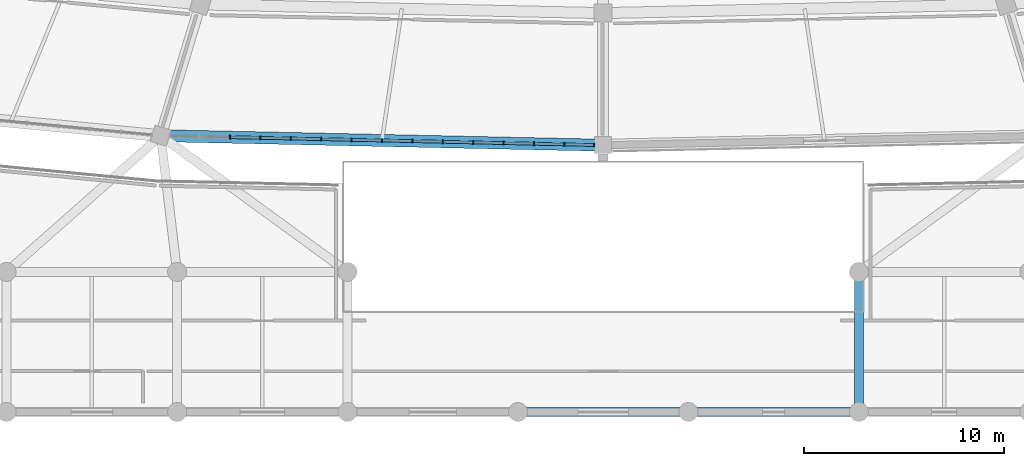
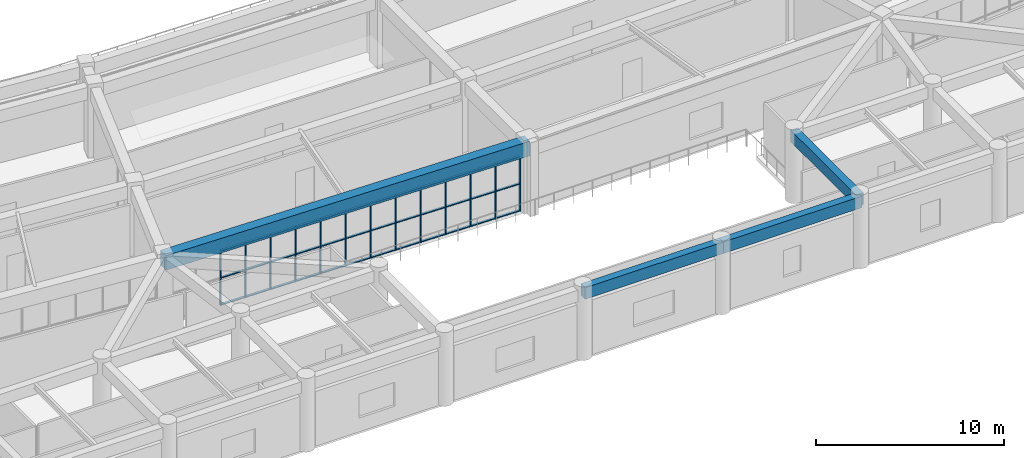
# One storey, part 24 of 152: 49 members, 4 beams, 1 element without a shape of its own.
"""IFC4 building model written with IfcOpenShell, lengths in metres."""

from ifc_helpers import new_model, si_unit, direction, frame, origin, origin_2d, place, context, subcontext, project, spatial, rectangle, extrude, material, layer, layer_set, material_profile, profile_set, type_object, element, aggregate, save


model = new_model("IFC4")

# Units and contexts
model_context = context("Model", 3, precision=1e-05, world=origin(), true_north=direction((0.0, 1.0)))
body_context = subcontext(model_context, "Body", "Model", "MODEL_VIEW")
ifc_project = project(units=[si_unit("LENGTHUNIT", "METRE"), si_unit("AREAUNIT", "SQUARE_METRE"), si_unit("VOLUMEUNIT", "CUBIC_METRE"), si_unit("PLANEANGLEUNIT", "RADIAN"), si_unit("MASSUNIT", "GRAM", prefix="KILO")], contexts=[model_context])

# Site, building, storey
site_placement = place(None, origin())
site = spatial("IfcSite", under=ifc_project, at=site_placement, CompositionType="ELEMENT")
building_placement = place(site_placement, origin())
building = spatial("IfcBuilding", under=site, at=building_placement, Name="Mphavela Belvedere Stadium", CompositionType="ELEMENT")
storey_placement = place(building_placement, frame((0.0, 0.0, 5.39990234375)))
storey = spatial("IfcBuildingStorey", under=building, at=storey_placement, Name="L01", CompositionType="ELEMENT", Elevation=5.39990234375)

# Beams
ifc_material_1 = material(Name="Concrete C40/50", Category="concrete")
ifc_material_profile_1 = material_profile(ifc_material_1, rectangle(XDim=0.60009765625, YDim=0.949951171875, at=origin_2d()), Name="RC 600x950")
ifc_profile_set_1 = profile_set([ifc_material_profile_1], Name="Concrete C40/50")
beam_type_1 = type_object("IfcBeamType", Name="BM-ENTABLATURE-950", PredefinedType="SPANDREL", material=ifc_profile_set_1)
beam_1_placement = place(storey_placement, frame((92.885498046875, 13.80615234375, 4.0751953125), z_axis=(0.999768359718, -0.021522706765, 0.0), x_axis=(0.021522706765, 0.999768359718, 0.0)))
element("IfcBeam", 1, at=beam_1_placement, inside=storey, type_object=beam_type_1, Name="Circumferential girder L01 R4-36", PredefinedType="SPANDREL", context=body_context, shape_type="SweptSolid", body=[
    extrude(rectangle(XDim=0.60009765625, YDim=0.949951171875, at=origin_2d()), origin(), (0.0, 0.0, 1.0), 22.11962890625),
])
ifc_material_2 = material(Name="Concrete C40/50", Category="concrete")
ifc_material_profile_2 = material_profile(ifc_material_2, rectangle(XDim=0.449951171875, YDim=0.75, at=origin_2d()), Name="RC 450x750")
ifc_profile_set_2 = profile_set([ifc_material_profile_2], Name="Concrete C40/50")
beam_type_2 = type_object("IfcBeamType", Name="BM-RC450x750", PredefinedType="BEAM", material=ifc_profile_set_2)
beam_2_placement = place(storey_placement, frame((110.740966796875, 0.0, 4.1650390625), z_axis=(1.0, 0.0, 0.0), x_axis=(0.0, 1.0, 0.0)))
element("IfcBeam", 2, at=beam_2_placement, inside=storey, type_object=beam_type_2, Name="South Axial Triumphal Peristyle Portico entablature beam X L01 14-1", PredefinedType="BEAM", context=body_context, shape_type="SweptSolid", body=[
    extrude(rectangle(XDim=0.449951171875, YDim=0.75, at=origin_2d()), origin(), (0.0, 0.0, 1.0), 8.51806640625),
])
beam_3_placement = place(storey_placement, frame((119.259033203125, 0.0, 4.1650390625), z_axis=(1.0, 0.0, 0.0), x_axis=(0.0, 1.0, 0.0)))
element("IfcBeam", 3, at=beam_3_placement, inside=storey, type_object=beam_type_2, Name="South Axial Triumphal Peristyle Portico entablature beam X L01 15-1", PredefinedType="BEAM", context=body_context, shape_type="SweptSolid", body=[
    extrude(rectangle(XDim=0.449951171875, YDim=0.75, at=origin_2d()), origin(), (0.0, 0.0, 1.0), 8.51904296875),
])
beam_4_placement = place(storey_placement, frame((127.778076171875, 0.0, 4.1650390625), z_axis=(0.0, 1.0, 0.0), x_axis=(-1.0, 0.0, 0.0)))
element("IfcBeam", 4, at=beam_4_placement, inside=storey, type_object=beam_type_2, Name="South Axial Triumphal Peristyle Portico entablature beam Y L01 16-1", PredefinedType="BEAM", context=body_context, shape_type="SweptSolid", body=[
    extrude(rectangle(XDim=0.449951171875, YDim=0.75, at=origin_2d()), origin(), (0.0, 0.0, 1.0), 7.0),
])

# Curtain wall, members
ifc_material_3 = material(Name="Anodised bronze unitised curtain wall framing")
ifc_layer = layer(ifc_material_3, 0.195068359375)
ifc_layer_set = layer_set([ifc_layer], Name="Anodised bronze unitised curtain wall framing")
curtain_wall_type = type_object("IfcCurtainWallType", Name="CW-UNIT-04", PredefinedType="USERDEFINED", material=ifc_layer_set)
curtain_wall_placement = place(storey_placement, origin())
curtain_wall = element("IfcCurtainWall", 5, at=curtain_wall_placement, inside=storey, type_object=curtain_wall_type, Name="Belvedere colonnade curtain wall L01-36", ObjectType="UNITISED CURTAIN WALL", PredefinedType="USERDEFINED")
ifc_material_4 = material(Name="Anodised bronze extruded aluminium", Category="aluminium")
ifc_material_profile_3 = material_profile(ifc_material_4, rectangle(XDim=0.179931640625, YDim=0.06494140625, at=origin_2d()), Name="CW-MUL 180x65")
ifc_profile_set_3 = profile_set([ifc_material_profile_3], Name="Anodised bronze extruded aluminium")
member_type_1 = type_object("IfcMemberType", Name="CWM-180x65", PredefinedType="MULLION", material=ifc_profile_set_3)
member_1_placement = place(storey_placement, frame((96.3466796875, 13.731689453125, 0.0), z_axis=(0.0, 0.0, 1.0), x_axis=(0.021528899038, 0.999768226394, 0.0)))
member_1 = element("IfcMember", 6, at=member_1_placement, type_object=member_type_1, Name="CW-04 mullion 3", PredefinedType="MULLION", context=body_context, shape_type="SweptSolid", body=[
    extrude(rectangle(XDim=0.179931640625, YDim=0.06494140625, at=origin_2d()), origin(), (0.0, 0.0, 1.0), 3.570068359375),
])
member_2_placement = place(storey_placement, frame((97.865966796875, 13.698974609375, 0.0), z_axis=(0.0, 0.0, 1.0), x_axis=(0.021528899038, 0.999768226394, 0.0)))
member_2 = element("IfcMember", 7, at=member_2_placement, type_object=member_type_1, Name="CW-04 mullion 4", PredefinedType="MULLION", context=body_context, shape_type="SweptSolid", body=[
    extrude(rectangle(XDim=0.179931640625, YDim=0.06494140625, at=origin_2d()), origin(), (0.0, 0.0, 1.0), 3.570068359375),
])
member_3_placement = place(storey_placement, frame((99.385009765625, 13.666259765625, 0.0), z_axis=(0.0, 0.0, 1.0), x_axis=(0.021528899038, 0.999768226394, 0.0)))
member_3 = element("IfcMember", 8, at=member_3_placement, type_object=member_type_1, Name="CW-04 mullion 5", PredefinedType="MULLION", context=body_context, shape_type="SweptSolid", body=[
    extrude(rectangle(XDim=0.179931640625, YDim=0.06494140625, at=origin_2d()), origin(), (0.0, 0.0, 1.0), 3.570068359375),
])
member_4_placement = place(storey_placement, frame((100.904296875, 13.633544921875, 0.0), z_axis=(0.0, 0.0, 1.0), x_axis=(0.021528899038, 0.999768226394, 0.0)))
member_4 = element("IfcMember", 9, at=member_4_placement, type_object=member_type_1, Name="CW-04 mullion 6", PredefinedType="MULLION", context=body_context, shape_type="SweptSolid", body=[
    extrude(rectangle(XDim=0.179931640625, YDim=0.06494140625, at=origin_2d()), origin(), (0.0, 0.0, 1.0), 3.570068359375),
])
member_5_placement = place(storey_placement, frame((102.423583984375, 13.600830078125, 0.0), z_axis=(0.0, 0.0, 1.0), x_axis=(0.021528899038, 0.999768226394, 0.0)))
member_5 = element("IfcMember", 10, at=member_5_placement, type_object=member_type_1, Name="CW-04 mullion 7", PredefinedType="MULLION", context=body_context, shape_type="SweptSolid", body=[
    extrude(rectangle(XDim=0.179931640625, YDim=0.06494140625, at=origin_2d()), origin(), (0.0, 0.0, 1.0), 3.570068359375),
])
member_6_placement = place(storey_placement, frame((103.942626953125, 13.568115234375, 0.0), z_axis=(0.0, 0.0, 1.0), x_axis=(0.021528899038, 0.999768226394, 0.0)))
member_6 = element("IfcMember", 11, at=member_6_placement, type_object=member_type_1, Name="CW-04 mullion 8", PredefinedType="MULLION", context=body_context, shape_type="SweptSolid", body=[
    extrude(rectangle(XDim=0.179931640625, YDim=0.06494140625, at=origin_2d()), origin(), (0.0, 0.0, 1.0), 3.570068359375),
])
member_7_placement = place(storey_placement, frame((105.4619140625, 13.535400390625, 0.0), z_axis=(0.0, 0.0, 1.0), x_axis=(0.021528899038, 0.999768226394, 0.0)))
member_7 = element("IfcMember", 12, at=member_7_placement, type_object=member_type_1, Name="CW-04 mullion 9", PredefinedType="MULLION", context=body_context, shape_type="SweptSolid", body=[
    extrude(rectangle(XDim=0.179931640625, YDim=0.06494140625, at=origin_2d()), origin(), (0.0, 0.0, 1.0), 3.570068359375),
])
member_8_placement = place(storey_placement, frame((106.981201171875, 13.502685546875, 0.0), z_axis=(0.0, 0.0, 1.0), x_axis=(0.021528899038, 0.999768226394, 0.0)))
member_8 = element("IfcMember", 13, at=member_8_placement, type_object=member_type_1, Name="CW-04 mullion 10", PredefinedType="MULLION", context=body_context, shape_type="SweptSolid", body=[
    extrude(rectangle(XDim=0.179931640625, YDim=0.06494140625, at=origin_2d()), origin(), (0.0, 0.0, 1.0), 3.570068359375),
])
member_9_placement = place(storey_placement, frame((108.500244140625, 13.469970703125, 0.0), z_axis=(0.0, 0.0, 1.0), x_axis=(0.021528899038, 0.999768226394, 0.0)))
member_9 = element("IfcMember", 14, at=member_9_placement, type_object=member_type_1, Name="CW-04 mullion 11", PredefinedType="MULLION", context=body_context, shape_type="SweptSolid", body=[
    extrude(rectangle(XDim=0.179931640625, YDim=0.06494140625, at=origin_2d()), origin(), (0.0, 0.0, 1.0), 3.570068359375),
])
member_10_placement = place(storey_placement, frame((110.01953125, 13.437255859375, 0.0), z_axis=(0.0, 0.0, 1.0), x_axis=(0.021528899038, 0.999768226394, 0.0)))
member_10 = element("IfcMember", 15, at=member_10_placement, type_object=member_type_1, Name="CW-04 mullion 12", PredefinedType="MULLION", context=body_context, shape_type="SweptSolid", body=[
    extrude(rectangle(XDim=0.179931640625, YDim=0.06494140625, at=origin_2d()), origin(), (0.0, 0.0, 1.0), 3.570068359375),
])
member_11_placement = place(storey_placement, frame((111.538818359375, 13.404541015625, 0.0), z_axis=(0.0, 0.0, 1.0), x_axis=(0.021528899038, 0.999768226394, 0.0)))
member_11 = element("IfcMember", 16, at=member_11_placement, type_object=member_type_1, Name="CW-04 mullion 13", PredefinedType="MULLION", context=body_context, shape_type="SweptSolid", body=[
    extrude(rectangle(XDim=0.179931640625, YDim=0.06494140625, at=origin_2d()), origin(), (0.0, 0.0, 1.0), 3.570068359375),
])
member_12_placement = place(storey_placement, frame((113.057861328125, 13.371826171875, 0.0), z_axis=(0.0, 0.0, 1.0), x_axis=(0.021528899038, 0.999768226394, 0.0)))
member_12 = element("IfcMember", 17, at=member_12_placement, type_object=member_type_1, Name="CW-04 mullion 14", PredefinedType="MULLION", context=body_context, shape_type="SweptSolid", body=[
    extrude(rectangle(XDim=0.179931640625, YDim=0.06494140625, at=origin_2d()), origin(), (0.0, 0.0, 1.0), 3.570068359375),
])
member_13_placement = place(storey_placement, frame((114.544677734375, 13.33984375, 0.0), z_axis=(0.0, 0.0, 1.0), x_axis=(0.021528899038, 0.999768226394, 0.0)))
member_13 = element("IfcMember", 18, at=member_13_placement, type_object=member_type_1, Name="CW-04 mullion 15", PredefinedType="MULLION", context=body_context, shape_type="SweptSolid", body=[
    extrude(rectangle(XDim=0.179931640625, YDim=0.06494140625, at=origin_2d()), origin(), (0.0, 0.0, 1.0), 3.570068359375),
])
ifc_material_5 = material(Name="Anodised bronze extruded aluminium", Category="aluminium")
ifc_material_profile_4 = material_profile(ifc_material_5, rectangle(XDim=0.139892578125, YDim=0.06005859375, at=origin_2d()), Name="CW-TRN 140x60")
ifc_profile_set_4 = profile_set([ifc_material_profile_4], Name="Anodised bronze extruded aluminium")
member_type_2 = type_object("IfcMemberType", Name="CWT-140x60", PredefinedType="USERDEFINED", material=ifc_profile_set_4)
member_14_placement = place(storey_placement, frame((96.379150390625, 13.73095703125, 0.030029296875), z_axis=(0.999769227323, -0.021482367147, 0.0), x_axis=(0.021482367147, 0.999769227323, 0.0)))
member_14 = element("IfcMember", 19, at=member_14_placement, type_object=member_type_2, Name="CW-04 transom 3.1", ObjectType="TRANSOM", PredefinedType="USERDEFINED", context=body_context, shape_type="SweptSolid", body=[
    extrude(rectangle(XDim=0.139892578125, YDim=0.06005859375, at=origin_2d()), origin(), (0.0, 0.0, 1.0), 1.45458984375),
])
member_15_placement = place(storey_placement, frame((96.379150390625, 13.73095703125, 1.78515625), z_axis=(0.999769227323, -0.021482367147, 0.0), x_axis=(0.021482367147, 0.999769227323, 0.0)))
member_15 = element("IfcMember", 20, at=member_15_placement, type_object=member_type_2, Name="CW-04 transom 3.2", ObjectType="TRANSOM", PredefinedType="USERDEFINED", context=body_context, shape_type="SweptSolid", body=[
    extrude(rectangle(XDim=0.139892578125, YDim=0.06005859375, at=origin_2d()), origin(), (0.0, 0.0, 1.0), 1.45458984375),
])
member_16_placement = place(storey_placement, frame((96.379150390625, 13.73095703125, 3.5400390625), z_axis=(0.999769227323, -0.021482367147, 0.0), x_axis=(0.021482367147, 0.999769227323, 0.0)))
member_16 = element("IfcMember", 21, at=member_16_placement, type_object=member_type_2, Name="CW-04 transom 3.3", ObjectType="TRANSOM", PredefinedType="USERDEFINED", context=body_context, shape_type="SweptSolid", body=[
    extrude(rectangle(XDim=0.139892578125, YDim=0.06005859375, at=origin_2d()), origin(), (0.0, 0.0, 1.0), 1.45458984375),
])
member_17_placement = place(storey_placement, frame((97.8984375, 13.6982421875, 0.030029296875), z_axis=(0.999769149851, -0.021485972327, 0.0), x_axis=(0.021485972327, 0.999769149851, 0.0)))
member_17 = element("IfcMember", 22, at=member_17_placement, type_object=member_type_2, Name="CW-04 transom 4.1", ObjectType="TRANSOM", PredefinedType="USERDEFINED", context=body_context, shape_type="SweptSolid", body=[
    extrude(rectangle(XDim=0.139892578125, YDim=0.06005859375, at=origin_2d()), origin(), (0.0, 0.0, 1.0), 1.454345703125),
])
member_18_placement = place(storey_placement, frame((97.8984375, 13.6982421875, 1.78515625), z_axis=(0.999769149851, -0.021485972327, 0.0), x_axis=(0.021485972327, 0.999769149851, 0.0)))
member_18 = element("IfcMember", 23, at=member_18_placement, type_object=member_type_2, Name="CW-04 transom 4.2", ObjectType="TRANSOM", PredefinedType="USERDEFINED", context=body_context, shape_type="SweptSolid", body=[
    extrude(rectangle(XDim=0.139892578125, YDim=0.06005859375, at=origin_2d()), origin(), (0.0, 0.0, 1.0), 1.454345703125),
])
member_19_placement = place(storey_placement, frame((97.8984375, 13.6982421875, 3.5400390625), z_axis=(0.999769149851, -0.021485972327, 0.0), x_axis=(0.021485972327, 0.999769149851, 0.0)))
member_19 = element("IfcMember", 24, at=member_19_placement, type_object=member_type_2, Name="CW-04 transom 4.3", ObjectType="TRANSOM", PredefinedType="USERDEFINED", context=body_context, shape_type="SweptSolid", body=[
    extrude(rectangle(XDim=0.139892578125, YDim=0.06005859375, at=origin_2d()), origin(), (0.0, 0.0, 1.0), 1.454345703125),
])
member_20_placement = place(storey_placement, frame((99.41748046875, 13.66552734375, 0.030029296875), z_axis=(0.999769227323, -0.021482367147, 0.0), x_axis=(0.021482367147, 0.999769227323, 0.0)))
member_20 = element("IfcMember", 25, at=member_20_placement, type_object=member_type_2, Name="CW-04 transom 5.1", ObjectType="TRANSOM", PredefinedType="USERDEFINED", context=body_context, shape_type="SweptSolid", body=[
    extrude(rectangle(XDim=0.139892578125, YDim=0.06005859375, at=origin_2d()), origin(), (0.0, 0.0, 1.0), 1.45458984375),
])
member_21_placement = place(storey_placement, frame((99.41748046875, 13.66552734375, 1.78515625), z_axis=(0.999769227323, -0.021482367147, 0.0), x_axis=(0.021482367147, 0.999769227323, 0.0)))
member_21 = element("IfcMember", 26, at=member_21_placement, type_object=member_type_2, Name="CW-04 transom 5.2", ObjectType="TRANSOM", PredefinedType="USERDEFINED", context=body_context, shape_type="SweptSolid", body=[
    extrude(rectangle(XDim=0.139892578125, YDim=0.06005859375, at=origin_2d()), origin(), (0.0, 0.0, 1.0), 1.45458984375),
])
member_22_placement = place(storey_placement, frame((99.41748046875, 13.66552734375, 3.5400390625), z_axis=(0.999769227323, -0.021482367147, 0.0), x_axis=(0.021482367147, 0.999769227323, 0.0)))
member_22 = element("IfcMember", 27, at=member_22_placement, type_object=member_type_2, Name="CW-04 transom 5.3", ObjectType="TRANSOM", PredefinedType="USERDEFINED", context=body_context, shape_type="SweptSolid", body=[
    extrude(rectangle(XDim=0.139892578125, YDim=0.06005859375, at=origin_2d()), origin(), (0.0, 0.0, 1.0), 1.45458984375),
])
member_23_placement = place(storey_placement, frame((100.936767578125, 13.6328125, 0.030029296875), z_axis=(0.999769227323, -0.021482367147, 0.0), x_axis=(0.021482367147, 0.999769227323, 0.0)))
member_23 = element("IfcMember", 28, at=member_23_placement, type_object=member_type_2, Name="CW-04 transom 6.1", ObjectType="TRANSOM", PredefinedType="USERDEFINED", context=body_context, shape_type="SweptSolid", body=[
    extrude(rectangle(XDim=0.139892578125, YDim=0.06005859375, at=origin_2d()), origin(), (0.0, 0.0, 1.0), 1.45458984375),
])
member_24_placement = place(storey_placement, frame((100.936767578125, 13.6328125, 1.78515625), z_axis=(0.999769227323, -0.021482367147, 0.0), x_axis=(0.021482367147, 0.999769227323, 0.0)))
member_24 = element("IfcMember", 29, at=member_24_placement, type_object=member_type_2, Name="CW-04 transom 6.2", ObjectType="TRANSOM", PredefinedType="USERDEFINED", context=body_context, shape_type="SweptSolid", body=[
    extrude(rectangle(XDim=0.139892578125, YDim=0.06005859375, at=origin_2d()), origin(), (0.0, 0.0, 1.0), 1.45458984375),
])
member_25_placement = place(storey_placement, frame((100.936767578125, 13.6328125, 3.5400390625), z_axis=(0.999769227323, -0.021482367147, 0.0), x_axis=(0.021482367147, 0.999769227323, 0.0)))
member_25 = element("IfcMember", 30, at=member_25_placement, type_object=member_type_2, Name="CW-04 transom 6.3", ObjectType="TRANSOM", PredefinedType="USERDEFINED", context=body_context, shape_type="SweptSolid", body=[
    extrude(rectangle(XDim=0.139892578125, YDim=0.06005859375, at=origin_2d()), origin(), (0.0, 0.0, 1.0), 1.45458984375),
])
member_26_placement = place(storey_placement, frame((102.4560546875, 13.60009765625, 0.030029296875), z_axis=(0.999769149851, -0.021485972327, 0.0), x_axis=(0.021485972327, 0.999769149851, 0.0)))
member_26 = element("IfcMember", 31, at=member_26_placement, type_object=member_type_2, Name="CW-04 transom 7.1", ObjectType="TRANSOM", PredefinedType="USERDEFINED", context=body_context, shape_type="SweptSolid", body=[
    extrude(rectangle(XDim=0.139892578125, YDim=0.06005859375, at=origin_2d()), origin(), (0.0, 0.0, 1.0), 1.454345703125),
])
member_27_placement = place(storey_placement, frame((102.4560546875, 13.60009765625, 1.78515625), z_axis=(0.999769149851, -0.021485972327, 0.0), x_axis=(0.021485972327, 0.999769149851, 0.0)))
member_27 = element("IfcMember", 32, at=member_27_placement, type_object=member_type_2, Name="CW-04 transom 7.2", ObjectType="TRANSOM", PredefinedType="USERDEFINED", context=body_context, shape_type="SweptSolid", body=[
    extrude(rectangle(XDim=0.139892578125, YDim=0.06005859375, at=origin_2d()), origin(), (0.0, 0.0, 1.0), 1.454345703125),
])
member_28_placement = place(storey_placement, frame((102.4560546875, 13.60009765625, 3.5400390625), z_axis=(0.999769149851, -0.021485972327, 0.0), x_axis=(0.021485972327, 0.999769149851, 0.0)))
member_28 = element("IfcMember", 33, at=member_28_placement, type_object=member_type_2, Name="CW-04 transom 7.3", ObjectType="TRANSOM", PredefinedType="USERDEFINED", context=body_context, shape_type="SweptSolid", body=[
    extrude(rectangle(XDim=0.139892578125, YDim=0.06005859375, at=origin_2d()), origin(), (0.0, 0.0, 1.0), 1.454345703125),
])
member_29_placement = place(storey_placement, frame((103.97509765625, 13.5673828125, 0.030029296875), z_axis=(0.999769227323, -0.021482367147, 0.0), x_axis=(0.021482367147, 0.999769227323, 0.0)))
member_29 = element("IfcMember", 34, at=member_29_placement, type_object=member_type_2, Name="CW-04 transom 8.1", ObjectType="TRANSOM", PredefinedType="USERDEFINED", context=body_context, shape_type="SweptSolid", body=[
    extrude(rectangle(XDim=0.139892578125, YDim=0.06005859375, at=origin_2d()), origin(), (0.0, 0.0, 1.0), 1.45458984375),
])
member_30_placement = place(storey_placement, frame((103.97509765625, 13.5673828125, 1.78515625), z_axis=(0.999769227323, -0.021482367147, 0.0), x_axis=(0.021482367147, 0.999769227323, 0.0)))
member_30 = element("IfcMember", 35, at=member_30_placement, type_object=member_type_2, Name="CW-04 transom 8.2", ObjectType="TRANSOM", PredefinedType="USERDEFINED", context=body_context, shape_type="SweptSolid", body=[
    extrude(rectangle(XDim=0.139892578125, YDim=0.06005859375, at=origin_2d()), origin(), (0.0, 0.0, 1.0), 1.45458984375),
])
member_31_placement = place(storey_placement, frame((103.97509765625, 13.5673828125, 3.5400390625), z_axis=(0.999769227323, -0.021482367147, 0.0), x_axis=(0.021482367147, 0.999769227323, 0.0)))
member_31 = element("IfcMember", 36, at=member_31_placement, type_object=member_type_2, Name="CW-04 transom 8.3", ObjectType="TRANSOM", PredefinedType="USERDEFINED", context=body_context, shape_type="SweptSolid", body=[
    extrude(rectangle(XDim=0.139892578125, YDim=0.06005859375, at=origin_2d()), origin(), (0.0, 0.0, 1.0), 1.45458984375),
])
member_32_placement = place(storey_placement, frame((105.494384765625, 13.53466796875, 0.030029296875), z_axis=(0.999769149851, -0.021485972327, 0.0), x_axis=(0.021485972327, 0.999769149851, 0.0)))
member_32 = element("IfcMember", 37, at=member_32_placement, type_object=member_type_2, Name="CW-04 transom 9.1", ObjectType="TRANSOM", PredefinedType="USERDEFINED", context=body_context, shape_type="SweptSolid", body=[
    extrude(rectangle(XDim=0.139892578125, YDim=0.06005859375, at=origin_2d()), origin(), (0.0, 0.0, 1.0), 1.454345703125),
])
member_33_placement = place(storey_placement, frame((105.494384765625, 13.53466796875, 1.78515625), z_axis=(0.999769149851, -0.021485972327, 0.0), x_axis=(0.021485972327, 0.999769149851, 0.0)))
member_33 = element("IfcMember", 38, at=member_33_placement, type_object=member_type_2, Name="CW-04 transom 9.2", ObjectType="TRANSOM", PredefinedType="USERDEFINED", context=body_context, shape_type="SweptSolid", body=[
    extrude(rectangle(XDim=0.139892578125, YDim=0.06005859375, at=origin_2d()), origin(), (0.0, 0.0, 1.0), 1.454345703125),
])
member_34_placement = place(storey_placement, frame((105.494384765625, 13.53466796875, 3.5400390625), z_axis=(0.999769149851, -0.021485972327, 0.0), x_axis=(0.021485972327, 0.999769149851, 0.0)))
member_34 = element("IfcMember", 39, at=member_34_placement, type_object=member_type_2, Name="CW-04 transom 9.3", ObjectType="TRANSOM", PredefinedType="USERDEFINED", context=body_context, shape_type="SweptSolid", body=[
    extrude(rectangle(XDim=0.139892578125, YDim=0.06005859375, at=origin_2d()), origin(), (0.0, 0.0, 1.0), 1.454345703125),
])
member_35_placement = place(storey_placement, frame((107.013671875, 13.501953125, 0.030029296875), z_axis=(0.999769149851, -0.021485972327, 0.0), x_axis=(0.021485972327, 0.999769149851, 0.0)))
member_35 = element("IfcMember", 40, at=member_35_placement, type_object=member_type_2, Name="CW-04 transom 10.1", ObjectType="TRANSOM", PredefinedType="USERDEFINED", context=body_context, shape_type="SweptSolid", body=[
    extrude(rectangle(XDim=0.139892578125, YDim=0.06005859375, at=origin_2d()), origin(), (0.0, 0.0, 1.0), 1.454345703125),
])
member_36_placement = place(storey_placement, frame((107.013671875, 13.501953125, 1.78515625), z_axis=(0.999769149851, -0.021485972327, 0.0), x_axis=(0.021485972327, 0.999769149851, 0.0)))
member_36 = element("IfcMember", 41, at=member_36_placement, type_object=member_type_2, Name="CW-04 transom 10.2", ObjectType="TRANSOM", PredefinedType="USERDEFINED", context=body_context, shape_type="SweptSolid", body=[
    extrude(rectangle(XDim=0.139892578125, YDim=0.06005859375, at=origin_2d()), origin(), (0.0, 0.0, 1.0), 1.454345703125),
])
member_37_placement = place(storey_placement, frame((107.013671875, 13.501953125, 3.5400390625), z_axis=(0.999769149851, -0.021485972327, 0.0), x_axis=(0.021485972327, 0.999769149851, 0.0)))
member_37 = element("IfcMember", 42, at=member_37_placement, type_object=member_type_2, Name="CW-04 transom 10.3", ObjectType="TRANSOM", PredefinedType="USERDEFINED", context=body_context, shape_type="SweptSolid", body=[
    extrude(rectangle(XDim=0.139892578125, YDim=0.06005859375, at=origin_2d()), origin(), (0.0, 0.0, 1.0), 1.454345703125),
])
member_38_placement = place(storey_placement, frame((108.53271484375, 13.46923828125, 0.030029296875), z_axis=(0.999769227323, -0.021482367147, 0.0), x_axis=(0.021482367147, 0.999769227323, 0.0)))
member_38 = element("IfcMember", 43, at=member_38_placement, type_object=member_type_2, Name="CW-04 transom 11.1", ObjectType="TRANSOM", PredefinedType="USERDEFINED", context=body_context, shape_type="SweptSolid", body=[
    extrude(rectangle(XDim=0.139892578125, YDim=0.06005859375, at=origin_2d()), origin(), (0.0, 0.0, 1.0), 1.45458984375),
])
member_39_placement = place(storey_placement, frame((108.53271484375, 13.46923828125, 1.78515625), z_axis=(0.999769227323, -0.021482367147, 0.0), x_axis=(0.021482367147, 0.999769227323, 0.0)))
member_39 = element("IfcMember", 44, at=member_39_placement, type_object=member_type_2, Name="CW-04 transom 11.2", ObjectType="TRANSOM", PredefinedType="USERDEFINED", context=body_context, shape_type="SweptSolid", body=[
    extrude(rectangle(XDim=0.139892578125, YDim=0.06005859375, at=origin_2d()), origin(), (0.0, 0.0, 1.0), 1.45458984375),
])
member_40_placement = place(storey_placement, frame((108.53271484375, 13.46923828125, 3.5400390625), z_axis=(0.999769227323, -0.021482367147, 0.0), x_axis=(0.021482367147, 0.999769227323, 0.0)))
member_40 = element("IfcMember", 45, at=member_40_placement, type_object=member_type_2, Name="CW-04 transom 11.3", ObjectType="TRANSOM", PredefinedType="USERDEFINED", context=body_context, shape_type="SweptSolid", body=[
    extrude(rectangle(XDim=0.139892578125, YDim=0.06005859375, at=origin_2d()), origin(), (0.0, 0.0, 1.0), 1.45458984375),
])
member_41_placement = place(storey_placement, frame((110.052001953125, 13.4365234375, 0.030029296875), z_axis=(0.999769149851, -0.021485972327, 0.0), x_axis=(0.021485972327, 0.999769149851, 0.0)))
member_41 = element("IfcMember", 46, at=member_41_placement, type_object=member_type_2, Name="CW-04 transom 12.1", ObjectType="TRANSOM", PredefinedType="USERDEFINED", context=body_context, shape_type="SweptSolid", body=[
    extrude(rectangle(XDim=0.139892578125, YDim=0.06005859375, at=origin_2d()), origin(), (0.0, 0.0, 1.0), 1.454345703125),
])
member_42_placement = place(storey_placement, frame((110.052001953125, 13.4365234375, 1.78515625), z_axis=(0.999769149851, -0.021485972327, 0.0), x_axis=(0.021485972327, 0.999769149851, 0.0)))
member_42 = element("IfcMember", 47, at=member_42_placement, type_object=member_type_2, Name="CW-04 transom 12.2", ObjectType="TRANSOM", PredefinedType="USERDEFINED", context=body_context, shape_type="SweptSolid", body=[
    extrude(rectangle(XDim=0.139892578125, YDim=0.06005859375, at=origin_2d()), origin(), (0.0, 0.0, 1.0), 1.454345703125),
])
member_43_placement = place(storey_placement, frame((110.052001953125, 13.4365234375, 3.5400390625), z_axis=(0.999769149851, -0.021485972327, 0.0), x_axis=(0.021485972327, 0.999769149851, 0.0)))
member_43 = element("IfcMember", 48, at=member_43_placement, type_object=member_type_2, Name="CW-04 transom 12.3", ObjectType="TRANSOM", PredefinedType="USERDEFINED", context=body_context, shape_type="SweptSolid", body=[
    extrude(rectangle(XDim=0.139892578125, YDim=0.06005859375, at=origin_2d()), origin(), (0.0, 0.0, 1.0), 1.454345703125),
])
member_44_placement = place(storey_placement, frame((111.5712890625, 13.40380859375, 0.030029296875), z_axis=(0.999769149851, -0.021485972327, 0.0), x_axis=(0.021485972327, 0.999769149851, 0.0)))
member_44 = element("IfcMember", 49, at=member_44_placement, type_object=member_type_2, Name="CW-04 transom 13.1", ObjectType="TRANSOM", PredefinedType="USERDEFINED", context=body_context, shape_type="SweptSolid", body=[
    extrude(rectangle(XDim=0.139892578125, YDim=0.06005859375, at=origin_2d()), origin(), (0.0, 0.0, 1.0), 1.454345703125),
])
member_45_placement = place(storey_placement, frame((111.5712890625, 13.40380859375, 1.78515625), z_axis=(0.999769149851, -0.021485972327, 0.0), x_axis=(0.021485972327, 0.999769149851, 0.0)))
member_45 = element("IfcMember", 50, at=member_45_placement, type_object=member_type_2, Name="CW-04 transom 13.2", ObjectType="TRANSOM", PredefinedType="USERDEFINED", context=body_context, shape_type="SweptSolid", body=[
    extrude(rectangle(XDim=0.139892578125, YDim=0.06005859375, at=origin_2d()), origin(), (0.0, 0.0, 1.0), 1.454345703125),
])
member_46_placement = place(storey_placement, frame((111.5712890625, 13.40380859375, 3.5400390625), z_axis=(0.999769149851, -0.021485972327, 0.0), x_axis=(0.021485972327, 0.999769149851, 0.0)))
member_46 = element("IfcMember", 51, at=member_46_placement, type_object=member_type_2, Name="CW-04 transom 13.3", ObjectType="TRANSOM", PredefinedType="USERDEFINED", context=body_context, shape_type="SweptSolid", body=[
    extrude(rectangle(XDim=0.139892578125, YDim=0.06005859375, at=origin_2d()), origin(), (0.0, 0.0, 1.0), 1.454345703125),
])
member_47_placement = place(storey_placement, frame((113.09033203125, 13.37109375, 0.030029296875), z_axis=(0.999769751249, -0.021457970279, 0.0), x_axis=(0.021457970279, 0.999769751249, 0.0)))
member_47 = element("IfcMember", 52, at=member_47_placement, type_object=member_type_2, Name="CW-04 transom 14.1", ObjectType="TRANSOM", PredefinedType="USERDEFINED", context=body_context, shape_type="SweptSolid", body=[
    extrude(rectangle(XDim=0.139892578125, YDim=0.06005859375, at=origin_2d()), origin(), (0.0, 0.0, 1.0), 1.422119140625),
])
member_48_placement = place(storey_placement, frame((113.09033203125, 13.37109375, 1.78515625), z_axis=(0.999769751249, -0.021457970279, 0.0), x_axis=(0.021457970279, 0.999769751249, 0.0)))
member_48 = element("IfcMember", 53, at=member_48_placement, type_object=member_type_2, Name="CW-04 transom 14.2", ObjectType="TRANSOM", PredefinedType="USERDEFINED", context=body_context, shape_type="SweptSolid", body=[
    extrude(rectangle(XDim=0.139892578125, YDim=0.06005859375, at=origin_2d()), origin(), (0.0, 0.0, 1.0), 1.422119140625),
])
member_49_placement = place(storey_placement, frame((113.09033203125, 13.37109375, 3.5400390625), z_axis=(0.999769751249, -0.021457970279, 0.0), x_axis=(0.021457970279, 0.999769751249, 0.0)))
member_49 = element("IfcMember", 54, at=member_49_placement, type_object=member_type_2, Name="CW-04 transom 14.3", ObjectType="TRANSOM", PredefinedType="USERDEFINED", context=body_context, shape_type="SweptSolid", body=[
    extrude(rectangle(XDim=0.139892578125, YDim=0.06005859375, at=origin_2d()), origin(), (0.0, 0.0, 1.0), 1.422119140625),
])
aggregate(curtain_wall, [member_1, member_2, member_3, member_4, member_5, member_6, member_7, member_8, member_9, member_10, member_11, member_12, member_13, member_14, member_15, member_16, member_17, member_18, member_19, member_20, member_21, member_22, member_23, member_24, member_25, member_26, member_27, member_28, member_29, member_30, member_31, member_32, member_33, member_34, member_35, member_36, member_37, member_38, member_39, member_40, member_41, member_42, member_43, member_44, member_45, member_46, member_47, member_48, member_49])

save(model, "model.ifc")
